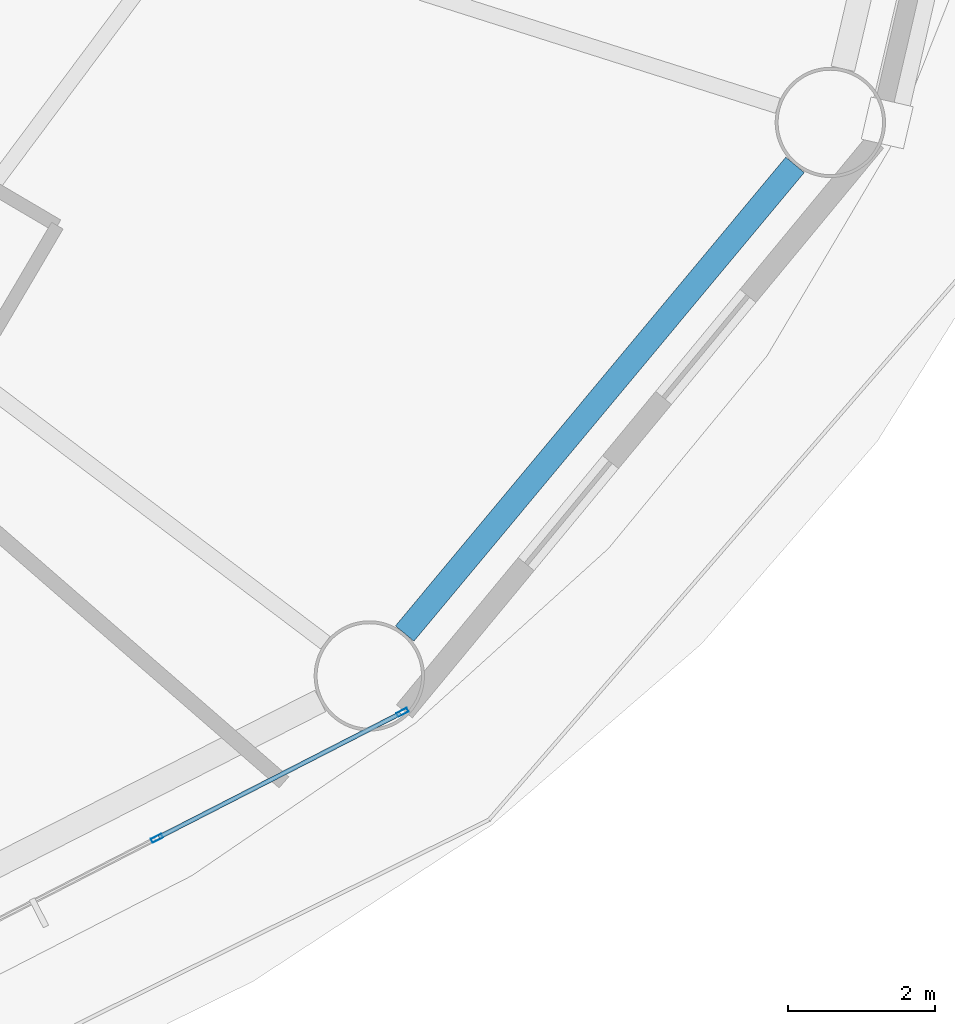
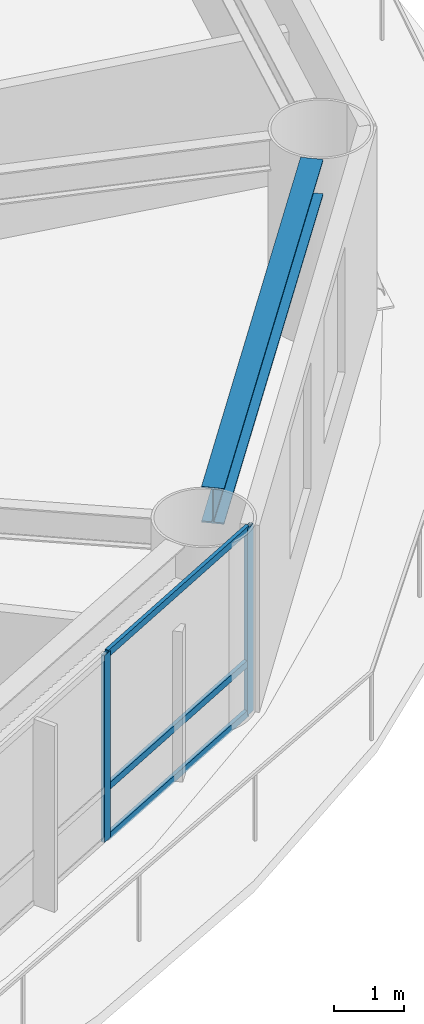
# One storey, part 7 of 27: 5 members, 1 beam, 1 element without a shape of its own.
"""IFC4 building model written with IfcOpenShell, lengths in metres."""

from ifc_helpers import new_model, si_unit, direction, frame, origin, origin_2d, place, context, subcontext, project, spatial, hollow_rectangle, i_section, extrude, material, layer, layer_set, material_profile, profile_set, type_object, element, aggregate, save


model = new_model("IFC4")

# Units and contexts
model_context = context("Model", 3, precision=1e-05, world=origin(), true_north=direction((0.0, 1.0)))
body_context = subcontext(model_context, "Body", "Model", "MODEL_VIEW")
ifc_project = project(units=[si_unit("LENGTHUNIT", "METRE"), si_unit("AREAUNIT", "SQUARE_METRE"), si_unit("VOLUMEUNIT", "CUBIC_METRE"), si_unit("PLANEANGLEUNIT", "RADIAN"), si_unit("MASSUNIT", "GRAM", prefix="KILO")], contexts=[model_context])

# Site, building, storey
site_placement = place(None, origin())
site = spatial("IfcSite", under=ifc_project, at=site_placement, CompositionType="ELEMENT")
building_placement = place(site_placement, origin())
building = spatial("IfcBuilding", under=site, at=building_placement, Name="Sarneth Arch Tower", CompositionType="ELEMENT")
storey_placement = place(building_placement, frame((0.0, 0.0, 75.0)))
storey = spatial("IfcBuildingStorey", under=building, at=storey_placement, Name="L18", CompositionType="ELEMENT", Elevation=75.0)

# Beam
ifc_material_1 = material(Name="Steel S355", Category="steel")
ifc_material_profile_1 = material_profile(ifc_material_1, i_section(OverallWidth=0.326904296875, OverallDepth=0.6220703125, WebThickness=0.015380859375, FlangeThickness=0.0244140625, FilletRadius=0.01904296875, at=origin_2d()), Name="W610x195")
ifc_profile_set_1 = profile_set([ifc_material_profile_1], Name="Steel S355")
beam_type = type_object("IfcBeamType", Name="BM-SPAN-610A", PredefinedType="SPANDREL", material=ifc_profile_set_1)
beam_placement = place(storey_placement, frame((70.1767578125, 26.17138671875, 2.93896484375), z_axis=(0.639981736251, 0.768390120489, 0.0), x_axis=(-0.768390120489, 0.639981736251, 0.0)))
element("IfcBeam", 1, at=beam_placement, inside=storey, type_object=beam_type, Name="L18 Perimeter spandrel beam 15", PredefinedType="SPANDREL", context=body_context, shape_type="SweptSolid", body=[
    extrude(i_section(OverallWidth=0.326904296875, OverallDepth=0.6220703125, WebThickness=0.015380859375, FlangeThickness=0.0244140625, FilletRadius=0.01904296875, at=origin_2d()), origin(), (0.0, 0.0, 1.0), 8.29541015625),
])

# Curtain wall, members
ifc_material_2 = material(Name="Anodised aluminium Type AA25 and solar-control low-e laminated IGU", Category="aluminium")
ifc_layer = layer(ifc_material_2, 0.159912109375)
ifc_layer_set = layer_set([ifc_layer], Name="Anodised aluminium Type AA25 and solar-control low-e laminated IGU")
curtain_wall_type = type_object("IfcCurtainWallType", Name="CW-HOTEL-LOW", PredefinedType="NOTDEFINED", material=ifc_layer_set)
curtain_wall_placement = place(storey_placement, origin())
curtain_wall = element("IfcCurtainWall", 2, at=curtain_wall_placement, inside=storey, type_object=curtain_wall_type, Name="L18 Unitised curtain wall facet 14", PredefinedType="NOTDEFINED")
ifc_material_3 = material(Name="Anodised Aluminium 6063-T6", Category="aluminium")
ifc_material_profile_2 = material_profile(ifc_material_3, hollow_rectangle(XDim=0.06005859375, YDim=0.159912109375, WallThickness=0.00390625, at=origin_2d()), Name="AL-MULL-160x60x4")
ifc_profile_set_2 = profile_set([ifc_material_profile_2], Name="Anodised Aluminium 6063-T6")
member_type_1 = type_object("IfcMemberType", Name="CW-MULLION", PredefinedType="MULLION", material=ifc_profile_set_2)
member_1_placement = place(storey_placement, frame((66.80859375, 23.388671875, 0.0), z_axis=(0.0, 0.0, 1.0), x_axis=(-0.456245197127, 0.889854100456, 0.0)))
member_1 = element("IfcMember", 3, at=member_1_placement, type_object=member_type_1, Name="CW-SYS-3 mullion 3", PredefinedType="MULLION", context=body_context, shape_type="SweptSolid", body=[
    extrude(hollow_rectangle(XDim=0.06005859375, YDim=0.159912109375, WallThickness=0.00390625, at=origin_2d()), origin(), (0.0, 0.0, 1.0), 3.25),
])
member_2_placement = place(storey_placement, frame((70.1474609375, 25.1005859375, 0.0), z_axis=(0.0, 0.0, 1.0), x_axis=(-0.456245197127, 0.889854100456, 0.0)))
member_2 = element("IfcMember", 4, at=member_2_placement, type_object=member_type_1, Name="CW-SYS-3 mullion 4", PredefinedType="MULLION", context=body_context, shape_type="SweptSolid", body=[
    extrude(hollow_rectangle(XDim=0.06005859375, YDim=0.159912109375, WallThickness=0.00390625, at=origin_2d()), origin(), (0.0, 0.0, 1.0), 3.25),
])
ifc_material_4 = material(Name="Anodised Aluminium 6063-T6", Category="aluminium")
ifc_material_profile_3 = material_profile(ifc_material_4, hollow_rectangle(XDim=0.06005859375, YDim=0.1201171875, WallThickness=0.00390625, at=origin_2d()), Name="AL-TRAN-120x60x4")
ifc_profile_set_3 = profile_set([ifc_material_profile_3], Name="Anodised Aluminium 6063-T6")
member_type_2 = type_object("IfcMemberType", Name="CW-TRANSOM", PredefinedType="USERDEFINED", material=ifc_profile_set_3)
member_3_placement = place(storey_placement, frame((66.83544921875, 23.402587890625, 0.030029296875), z_axis=(0.889871845224, 0.456210586327, 0.0), x_axis=(-0.456210586327, 0.889871845224, 0.0)))
member_3 = element("IfcMember", 5, at=member_3_placement, type_object=member_type_2, Name="CW-SYS-3 transom 3.1", ObjectType="TRANSOM", PredefinedType="USERDEFINED", context=body_context, shape_type="SweptSolid", body=[
    extrude(hollow_rectangle(XDim=0.06005859375, YDim=0.1201171875, WallThickness=0.00390625, at=origin_2d()), origin(), (0.0, 0.0, 1.0), 3.69189453125),
])
member_4_placement = place(storey_placement, frame((66.83544921875, 23.402587890625, 0.89990234375), z_axis=(0.889871845224, 0.456210586327, 0.0), x_axis=(-0.456210586327, 0.889871845224, 0.0)))
member_4 = element("IfcMember", 6, at=member_4_placement, type_object=member_type_2, Name="CW-SYS-3 transom 3.2", ObjectType="TRANSOM", PredefinedType="USERDEFINED", context=body_context, shape_type="SweptSolid", body=[
    extrude(hollow_rectangle(XDim=0.06005859375, YDim=0.1201171875, WallThickness=0.00390625, at=origin_2d()), origin(), (0.0, 0.0, 1.0), 3.69189453125),
])
member_5_placement = place(storey_placement, frame((66.83544921875, 23.402587890625, 3.219970703125), z_axis=(0.889871845224, 0.456210586327, 0.0), x_axis=(-0.456210586327, 0.889871845224, 0.0)))
member_5 = element("IfcMember", 7, at=member_5_placement, type_object=member_type_2, Name="CW-SYS-3 transom 3.3", ObjectType="TRANSOM", PredefinedType="USERDEFINED", context=body_context, shape_type="SweptSolid", body=[
    extrude(hollow_rectangle(XDim=0.06005859375, YDim=0.1201171875, WallThickness=0.00390625, at=origin_2d()), origin(), (0.0, 0.0, 1.0), 3.69189453125),
])
aggregate(curtain_wall, [member_1, member_2, member_3, member_4, member_5])

save(model, "model.ifc")
